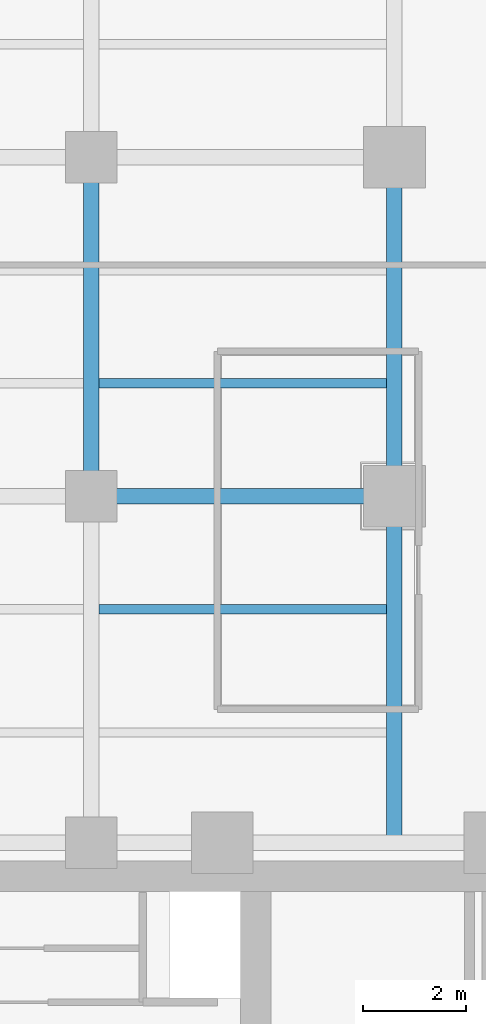
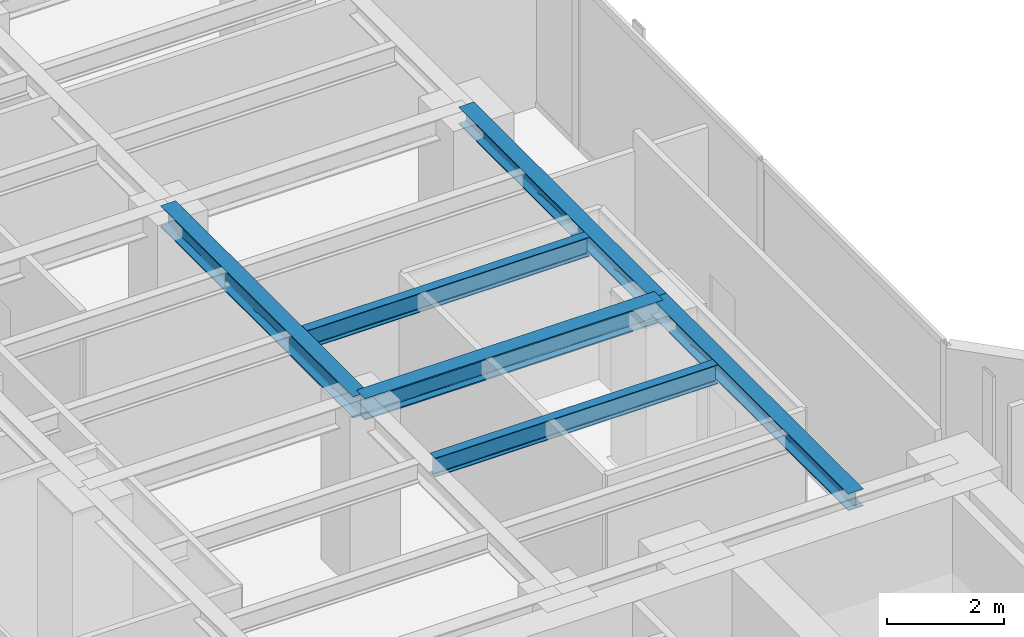
# One storey, part 8 of 26: 6 beams.
"""IFC4 building model written with IfcOpenShell, lengths in metres."""

from ifc_helpers import new_model, si_unit, direction, frame, origin, origin_2d, place, context, subcontext, project, spatial, i_section, extrude, material, material_profile, profile_set, type_object, element, save


model = new_model("IFC4")

# Units and contexts
model_context = context("Model", 3, precision=1e-05, world=origin(), true_north=direction((0.0, 1.0)))
body_context = subcontext(model_context, "Body", "Model", "MODEL_VIEW")
ifc_project = project(units=[si_unit("LENGTHUNIT", "METRE"), si_unit("AREAUNIT", "SQUARE_METRE"), si_unit("VOLUMEUNIT", "CUBIC_METRE"), si_unit("PLANEANGLEUNIT", "RADIAN"), si_unit("MASSUNIT", "GRAM", prefix="KILO")], contexts=[model_context])

# Site, building, storey
site_placement = place(None, origin())
site = spatial("IfcSite", under=ifc_project, at=site_placement, CompositionType="ELEMENT")
building_placement = place(site_placement, origin())
building = spatial("IfcBuilding", under=site, at=building_placement, Name="Kolvaren Waterfront Exchange", CompositionType="ELEMENT")
storey_placement = place(building_placement, frame((0.0, 0.0, 180.39990234375)))
storey = spatial("IfcBuildingStorey", under=building, at=storey_placement, Name="L46", CompositionType="ELEMENT", Elevation=180.39990234375)

# Beams
ifc_material = material(Name="Steel S355", Category="steel")
ifc_material_profile_1 = material_profile(ifc_material, i_section(OverallWidth=0.300048828125, OverallDepth=0.360107421875, WebThickness=0.012451171875, FlangeThickness=0.0224609375, FilletRadius=0.027099609375, at=origin_2d()), Name="HEB360")
ifc_profile_set_1 = profile_set([ifc_material_profile_1], Name="Steel S355")
beam_type_1 = type_object("IfcBeamType", Name="STR-BM-HEB360", PredefinedType="SPANDREL", material=ifc_profile_set_1)
beam_1_placement = place(storey_placement, frame((18.800048828125, 24.449951171875, 3.380126953125), z_axis=(0.0, 1.0, 0.0), x_axis=(-1.0, 0.0, 0.0)))
element("IfcBeam", 1, at=beam_1_placement, inside=storey, type_object=beam_type_1, Name="L46 north-arm edge beam 1", PredefinedType="SPANDREL", context=body_context, shape_type="SweptSolid", body=[
    extrude(i_section(OverallWidth=0.300048828125, OverallDepth=0.360107421875, WebThickness=0.012451171875, FlangeThickness=0.0224609375, FilletRadius=0.027099609375, at=origin_2d()), origin(), (0.0, 0.0, 1.0), 6.75),
])
beam_2_placement = place(storey_placement, frame((18.800048828125, 31.199951171875, 3.380126953125), z_axis=(0.0, 1.0, 0.0), x_axis=(-1.0, 0.0, 0.0)))
element("IfcBeam", 2, at=beam_2_placement, inside=storey, type_object=beam_type_1, Name="L46 north-arm edge beam 2", PredefinedType="SPANDREL", context=body_context, shape_type="SweptSolid", body=[
    extrude(i_section(OverallWidth=0.300048828125, OverallDepth=0.360107421875, WebThickness=0.012451171875, FlangeThickness=0.0224609375, FilletRadius=0.027099609375, at=origin_2d()), origin(), (0.0, 0.0, 1.0), 6.60009765625),
])
ifc_material_profile_2 = material_profile(ifc_material, i_section(OverallWidth=0.300048828125, OverallDepth=0.449951171875, WebThickness=0.013916015625, FlangeThickness=0.02587890625, FilletRadius=0.027099609375, at=origin_2d()), Name="HEB450")
ifc_profile_set_2 = profile_set([ifc_material_profile_2], Name="Steel S355")
beam_type_2 = type_object("IfcBeamType", Name="STR-BM-HEB450", PredefinedType="BEAM", material=ifc_profile_set_2)
beam_3_placement = place(storey_placement, frame((12.89990234375, 31.199951171875, 3.335205078125), z_axis=(1.0, 0.0, 0.0), x_axis=(0.0, 1.0, 0.0)))
element("IfcBeam", 3, at=beam_3_placement, inside=storey, type_object=beam_type_2, Name="L46 north-arm girder 2B", PredefinedType="BEAM", context=body_context, shape_type="SweptSolid", body=[
    extrude(i_section(OverallWidth=0.300048828125, OverallDepth=0.449951171875, WebThickness=0.013916015625, FlangeThickness=0.02587890625, FilletRadius=0.027099609375, at=origin_2d()), origin(), (0.0, 0.0, 1.0), 5.900146484375),
])
beam_4_placement = place(storey_placement, frame((12.89990234375, 31.199951171875, 3.335205078125), z_axis=(0.0, 1.0, 0.0), x_axis=(-1.0, 0.0, 0.0)))
element("IfcBeam", 4, at=beam_4_placement, inside=storey, type_object=beam_type_2, Name="L46 north-arm edge beam 2", PredefinedType="BEAM", context=body_context, shape_type="SweptSolid", body=[
    extrude(i_section(OverallWidth=0.300048828125, OverallDepth=0.449951171875, WebThickness=0.013916015625, FlangeThickness=0.02587890625, FilletRadius=0.027099609375, at=origin_2d()), origin(), (0.0, 0.0, 1.0), 6.60009765625),
])
ifc_material_profile_3 = material_profile(ifc_material, i_section(OverallWidth=0.179931640625, OverallDepth=0.39990234375, WebThickness=0.008544921875, FlangeThickness=0.013427734375, FilletRadius=0.02099609375, at=origin_2d()), Name="IPE400")
ifc_profile_set_3 = profile_set([ifc_material_profile_3], Name="Steel S355")
beam_type_3 = type_object("IfcBeamType", Name="STR-BM-IPE400", PredefinedType="JOIST", material=ifc_profile_set_3)
for number, where, z_axis, x_axis, name in (
    (5, (13.052001953125, 29.0, 3.360107421875), (1.0, 0.0, 0.0), (0.0, 1.0, 0.0), "L46 north-arm composite joist 2B"),
    (6, (13.052001953125, 33.39990234375, 3.360107421875), (1.0, 0.0, 0.0), (0.0, 1.0, 0.0), "L46 north-arm composite joist 3B"),
):
    element("IfcBeam", number, at=place(storey_placement, frame(where, z_axis=z_axis, x_axis=x_axis)), inside=storey, type_object=beam_type_3, Name=name, PredefinedType="JOIST", context=body_context, shape_type="SweptSolid", body=[
        extrude(i_section(OverallWidth=0.179931640625, OverallDepth=0.39990234375, WebThickness=0.008544921875, FlangeThickness=0.013427734375, FilletRadius=0.02099609375, at=origin_2d()), origin(), (0.0, 0.0, 1.0), 5.595947265625),
    ])

save(model, "model.ifc")
